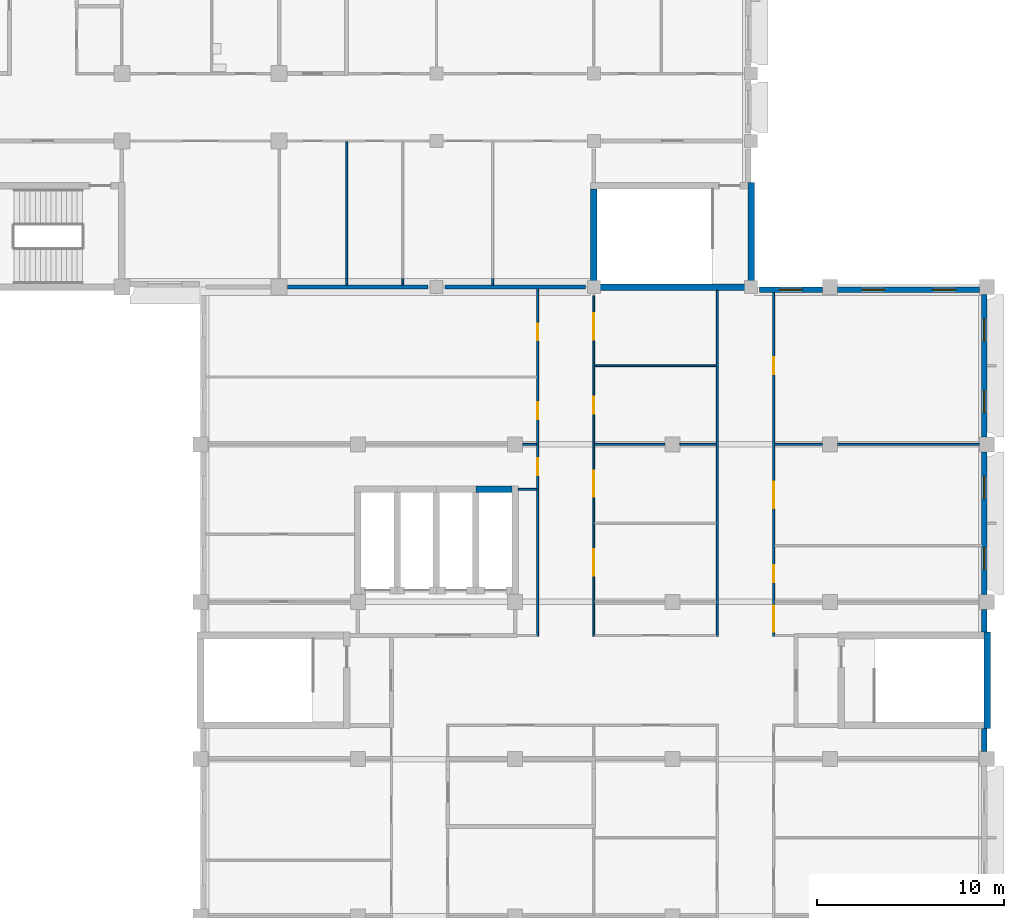
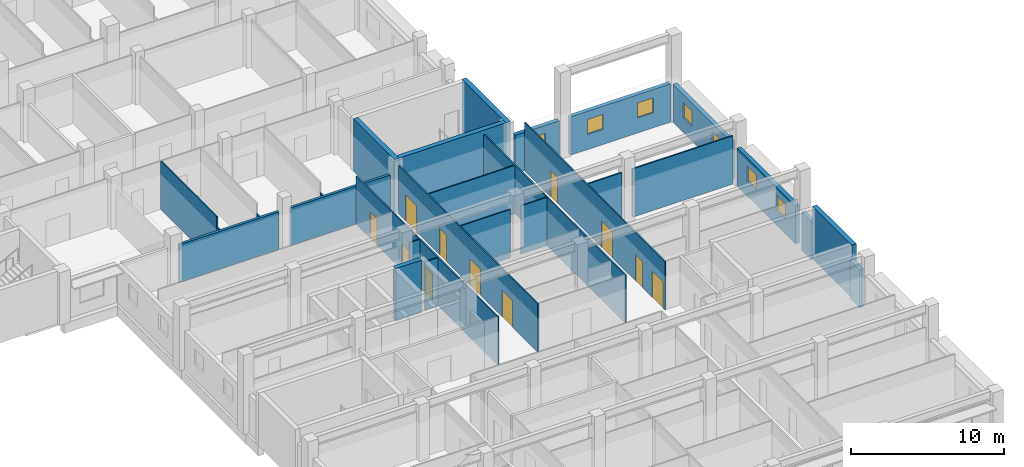
# One storey, part 70 of 109: 28 walls, 11 doors, 7 windows, 18 openings.
"""IFC4 building model written with IfcOpenShell, lengths in metres."""

import ifcopenshell
import ifcopenshell.guid

model = None  # the IFC model being written
_history = None  # IfcOwnerHistory: only IFC2X3 demands one
_inside = {}  # id of a spatial element -> (the spatial element, [elements in it])
_under = {}  # id of a project, library or spatial element -> (it, [spatial elements below it])
_declared = {}  # id of a project -> (the project, [libraries it declares])
_typed = {}  # id of a type object -> (the type object, [elements of that type])
_made_of = {}  # id of a material, layer set ... -> (it, [elements and type objects made of it])


def new_model(schema):
    """Start an empty IFC model of exactly this schema.

    Asked for "IFC4X3", IfcOpenShell would pick the latest addendum, in which some entities
    have other attributes; the version numbers below select the first issue.
    IFC2X3 requires an IfcOwnerHistory on every rooted entity: one is made here for all.
    """
    global model, _history
    if schema == "IFC4X3":
        model = ifcopenshell.file(schema_version=(4, 3, 0, 0))
    else:
        model = ifcopenshell.file(schema=schema)
    _inside.clear()
    _under.clear()
    _declared.clear()
    _typed.clear()
    _made_of.clear()
    _history = None
    if model.schema == "IFC2X3":
        org = make("IfcOrganization", Name="unknown")
        user = make(
            "IfcPersonAndOrganization",
            ThePerson=make("IfcPerson", FamilyName="unknown"),
            TheOrganization=org,
        )
        app = make(
            "IfcApplication",
            ApplicationDeveloper=org,
            Version="unknown",
            ApplicationFullName="unknown",
            ApplicationIdentifier="unknown",
        )
        _history = make(
            "IfcOwnerHistory",
            OwningUser=user,
            OwningApplication=app,
            ChangeAction="ADDED",
            CreationDate=0,
        )
    return model


def make(cls, **values):
    """One entity of the class cls with the attributes given. An attribute that is None is left unset."""
    return model.create_entity(
        cls, **{name: value for name, value in values.items() if value is not None}
    )


def rooted(cls, **values):
    """An entity with a GlobalId (a new one), such as an element, a storey or a relation."""
    return make(cls, GlobalId=ifcopenshell.guid.new(), OwnerHistory=_history, **values)


def si_unit(unit_type, name, prefix=None):
    """IfcSIUnit, for example si_unit("LENGTHUNIT", "METRE", prefix="MILLI")."""
    return make("IfcSIUnit", UnitType=unit_type, Prefix=prefix, Name=name)


def assignment(units):
    """IfcUnitAssignment: the units of a project."""
    return None if units is None else make("IfcUnitAssignment", Units=units)


def point(xyz):
    """IfcCartesianPoint."""
    return None if xyz is None else make("IfcCartesianPoint", Coordinates=xyz)


def direction(xyz):
    """IfcDirection."""
    return None if xyz is None else make("IfcDirection", DirectionRatios=xyz)


def frame(location, z_axis=None, x_axis=None):
    """IfcAxis2Placement3D, a coordinate frame: its origin and axes. An axis left out is left unset."""
    return make(
        "IfcAxis2Placement3D",
        Location=point(location),
        Axis=direction(z_axis),
        RefDirection=direction(x_axis),
    )


def frame_2d(location, x_axis=None):
    """IfcAxis2Placement2D, a coordinate frame in the plane: its origin and x axis."""
    return make(
        "IfcAxis2Placement2D", Location=point(location), RefDirection=direction(x_axis)
    )


def origin():
    """The frame at (0, 0, 0) with its axes left unset."""
    return frame((0.0, 0.0, 0.0))


def place(relative_to, where):
    """IfcLocalPlacement: puts the frame where relative to a parent placement (None: the world)."""
    return make(
        "IfcLocalPlacement", PlacementRelTo=relative_to, RelativePlacement=where
    )


def context(
    kind, dimensions, precision=None, world=None, true_north=None, identifier=None
):
    """IfcGeometricRepresentationContext, for example the 3D "Model" context."""
    return make(
        "IfcGeometricRepresentationContext",
        ContextIdentifier=identifier,
        ContextType=kind,
        CoordinateSpaceDimension=dimensions,
        Precision=precision,
        WorldCoordinateSystem=world,
        TrueNorth=true_north,
    )


def subcontext(parent, identifier, kind, view, scale=None):
    """IfcGeometricRepresentationSubContext, for example "Body" below "Model"."""
    return make(
        "IfcGeometricRepresentationSubContext",
        ContextIdentifier=identifier,
        ContextType=kind,
        ParentContext=parent,
        TargetScale=scale,
        TargetView=view,
    )


def project(units=None, contexts=None):
    """IfcProject with its units and contexts."""
    return rooted(
        "IfcProject",
        Name="project",
        RepresentationContexts=contexts,
        UnitsInContext=assignment(units),
    )


def spatial(cls, under=None, at=None, **own):
    """A site, building, storey or space (cls), placed at a placement, below another one or the project."""
    s = rooted(cls, ObjectPlacement=at, **own)
    if under is not None:
        _under.setdefault(under.id(), (under, []))[1].append(s)
    return s


def profile(cls, at=None, kind="AREA", **sizes):
    """A parametric profile (cls). Its sizes go by their IFC names, for example OverallWidth=200.0."""
    return make(cls, ProfileType=kind, Position=at, **sizes)


def rectangle(**sizes):
    """IfcRectangleProfileDef."""
    return profile("IfcRectangleProfileDef", **sizes)


def extrude(swept, where, along, depth):
    """IfcExtrudedAreaSolid: the profile swept, set in the frame where, extruded along a direction by depth."""
    return make(
        "IfcExtrudedAreaSolid",
        SweptArea=swept,
        Position=where,
        ExtrudedDirection=direction(along),
        Depth=depth,
    )


def shape(context_of_items, identifier, shape_type, items):
    """IfcShapeRepresentation: the items that make up one representation, for example the "Body"."""
    return make(
        "IfcShapeRepresentation",
        ContextOfItems=context_of_items,
        RepresentationIdentifier=identifier,
        RepresentationType=shape_type,
        Items=items,
    )


def material(Name=None, Category=None):
    """IfcMaterial."""
    return make("IfcMaterial", Name=Name, Category=Category)


def layer(
    of_material, thickness, ventilated=None, Name=None, Category=None, Priority=None
):
    """IfcMaterialLayer: one layer of a wall or slab, of a material (None: an air gap)."""
    return make(
        "IfcMaterialLayer",
        Material=of_material,
        LayerThickness=thickness,
        IsVentilated=ventilated,
        Name=Name,
        Category=Category,
        Priority=Priority,
    )


def layer_set(layers, Name=None):
    """IfcMaterialLayerSet."""
    return make("IfcMaterialLayerSet", MaterialLayers=layers, LayerSetName=Name)


def made_of(thing, what):
    """Note that an element or type object is made of a material, layer set ...; save() writes the relation."""
    if what is not None:
        _made_of.setdefault(what.id(), (what, []))[1].append(thing)
    return thing


def type_object(cls, material=None, **own):
    """A type object (cls), such as IfcWallType, which elements share."""
    return made_of(rooted(cls, **own), material)


def element(
    cls,
    number,
    at=None,
    inside=None,
    cuts=None,
    type_object=None,
    material=None,
    context=None,
    identifier="Body",
    shape_type=None,
    held_by="IfcProductDefinitionShape",
    body=None,
    shapes=None,
    **own,
):
    """One element of the class cls, such as IfcWall. Its Tag is "e" and its number.

    at: its placement. inside: the storey or other place that contains it. cuts: it is an
    opening in that element (IfcRelVoidsElement). A single representation is given by context,
    identifier, shape_type and body (its items); several are given by shapes. held_by: the class
    of the entity that holds the representations. save() writes the other relations.
    """
    e = rooted(cls, Tag="e%d" % number, ObjectPlacement=at, **own)
    if body is not None:
        shapes = [shape(context, identifier, shape_type, body)]
    if shapes is not None:
        e.Representation = make(held_by, Representations=shapes)
    if inside is not None:
        _inside.setdefault(inside.id(), (inside, []))[1].append(e)
    if cuts is not None:
        rooted(
            "IfcRelVoidsElement", RelatingBuildingElement=cuts, RelatedOpeningElement=e
        )
    if type_object is not None:
        _typed.setdefault(type_object.id(), (type_object, []))[1].append(e)
    return made_of(e, material)


def fill(opening, filler):
    """IfcRelFillsElement: the door or window that sits in an opening."""
    return rooted(
        "IfcRelFillsElement",
        RelatingOpeningElement=opening,
        RelatedBuildingElement=filler,
    )


def aggregate(whole, parts):
    """IfcRelAggregates: a whole, such as a stair, and the parts it consists of."""
    return rooted("IfcRelAggregates", RelatingObject=whole, RelatedObjects=parts)


def save(model, path):
    """Write the relations noted so far, then the file.

    IfcRelAggregates (storeys below a building ...), IfcRelContainedInSpatialStructure (elements
    in a storey), IfcRelDefinesByType, IfcRelAssociatesMaterial and IfcRelDeclares: one each for
    every whole, place, type object, material and project.
    """
    for whole, parts in _under.values():
        aggregate(whole, parts)
    for where, things in _inside.values():
        rooted(
            "IfcRelContainedInSpatialStructure",
            RelatedElements=things,
            RelatingStructure=where,
        )
    for kind, things in _typed.values():
        rooted("IfcRelDefinesByType", RelatedObjects=things, RelatingType=kind)
    for what, things in _made_of.values():
        rooted("IfcRelAssociatesMaterial", RelatedObjects=things, RelatingMaterial=what)
    for by, libraries in _declared.values():
        rooted("IfcRelDeclares", RelatingContext=by, RelatedDefinitions=libraries)
    model.write(path)


model = new_model("IFC4")

# Units and contexts
model_context = context("Model", 3, precision=1e-05, world=origin(), true_north=direction((0.0, 1.0)))
body_context = subcontext(model_context, "Body", "Model", "MODEL_VIEW")
ifc_project = project(units=[si_unit("LENGTHUNIT", "METRE"), si_unit("AREAUNIT", "SQUARE_METRE"), si_unit("VOLUMEUNIT", "CUBIC_METRE"), si_unit("PLANEANGLEUNIT", "RADIAN"), si_unit("MASSUNIT", "GRAM", prefix="KILO")], contexts=[model_context])

# Site, building, storey
site_placement = place(None, origin())
site = spatial("IfcSite", under=ifc_project, at=site_placement, CompositionType="ELEMENT")
building_placement = place(site_placement, origin())
building = spatial("IfcBuilding", under=site, at=building_placement, Name="Bougainvillea Quay General Hospital", CompositionType="ELEMENT")
storey_placement = place(building_placement, frame((0.0, 0.0, 12.60009765625)))
storey = spatial("IfcBuildingStorey", under=building, at=storey_placement, Name="L02", CompositionType="ELEMENT", Elevation=12.60009765625)

# Wall, openings, windows
ifc_material_1 = material(Name="Pale stone rainscreen cladding on insulated masonry backing, pale stone", Category="masonry")
ifc_layer_1 = layer(ifc_material_1, 0.300048828125)
ifc_layer_set_1 = layer_set([ifc_layer_1], Name="Pale stone rainscreen cladding on insulated masonry backing, pale stone")
wall_type_1 = type_object("IfcWallType", Name="External wall pale stone rainscreen 300", PredefinedType="STANDARD", material=ifc_layer_set_1)
wall_1_placement = place(storey_placement, frame((205.64990234375, 101.199951171875, 0.0), z_axis=(0.0, 0.0, 1.0), x_axis=(0.0, 1.0, 0.0)))
wall_1 = element("IfcWall", 1, at=wall_1_placement, inside=storey, type_object=wall_type_1, Name="External wall wall/V3/L02/p0/02e", PredefinedType="STANDARD", context=body_context, shape_type="SweptSolid", body=[
    extrude(rectangle(XDim=7.60009765625, YDim=0.300048828125, at=frame_2d((3.800048828125, 0.0))), origin(), (0.0, 0.0, 1.0), 3.0498046875),
])
opening_1_placement = place(wall_1_placement, frame((1.300048828125, 0.0, 1.199951171875)))
opening_1 = element("IfcOpeningElement", 2, at=opening_1_placement, cuts=wall_1, Name="Opening W2", PredefinedType="OPENING", context=body_context, shape_type="SweptSolid", body=[
    extrude(rectangle(XDim=1.199951171875, YDim=1.199951171875, at=frame_2d((0.60009765625, 0.60009765625))), frame((0.0, 0.159912109375, 0.0), z_axis=(0.0, -1.0, 0.0), x_axis=(1.0, 0.0, 0.0)), (0.0, 0.0, 1.0), 0.320068359375),
])
opening_2_placement = place(wall_1_placement, frame((5.10009765625, 0.0, 1.199951171875)))
opening_2 = element("IfcOpeningElement", 3, at=opening_2_placement, cuts=wall_1, Name="Opening W2", PredefinedType="OPENING", context=body_context, shape_type="SweptSolid", body=[
    extrude(rectangle(XDim=1.199951171875, YDim=1.199951171875, at=frame_2d((0.60009765625, 0.60009765625))), frame((0.0, 0.159912109375, 0.0), z_axis=(0.0, -1.0, 0.0), x_axis=(1.0, 0.0, 0.0)), (0.0, 0.0, 1.0), 0.320068359375),
])
ifc_material_2 = material(Name="Aluminium window frame with low-e double glazed unit", Category="aluminium")
window_type = type_object("IfcWindowType", Name="Window W2 1200x1200", PartitioningType="SINGLE_PANEL", PredefinedType="WINDOW", material=ifc_material_2)
window_1_placement = place(opening_1_placement, origin())
window_1 = element("IfcWindow", 4, at=window_1_placement, inside=storey, type_object=window_type, Name="Window W2 1", OverallHeight=1.199951171875, OverallWidth=1.199951171875, PartitioningType="SINGLE_PANEL", PredefinedType="WINDOW", context=body_context, shape_type="SweptSolid", body=[
    extrude(rectangle(XDim=1.199951171875, YDim=1.199951171875, at=frame_2d((0.60009765625, 0.60009765625))), frame((0.0, 0.030029296875, 0.0), z_axis=(0.0, -1.0, 0.0), x_axis=(1.0, 0.0, 0.0)), (0.0, 0.0, 1.0), 0.06005859375),
])
fill(opening_1, window_1)
window_2_placement = place(opening_2_placement, origin())
window_2 = element("IfcWindow", 5, at=window_2_placement, inside=storey, type_object=window_type, Name="Window W2 2", OverallHeight=1.199951171875, OverallWidth=1.199951171875, PartitioningType="SINGLE_PANEL", PredefinedType="WINDOW", context=body_context, shape_type="SweptSolid", body=[
    extrude(rectangle(XDim=1.199951171875, YDim=1.199951171875, at=frame_2d((0.60009765625, 0.60009765625))), frame((0.0, 0.030029296875, 0.0), z_axis=(0.0, -1.0, 0.0), x_axis=(1.0, 0.0, 0.0)), (0.0, 0.0, 1.0), 0.06005859375),
])
fill(opening_2, window_2)

wall_2_placement = place(storey_placement, frame((205.64990234375, 109.60009765625, 0.0), z_axis=(0.0, 0.0, 1.0), x_axis=(0.0, 1.0, 0.0)))
wall_2 = element("IfcWall", 6, at=wall_2_placement, inside=storey, type_object=wall_type_1, Name="External wall wall/V3/L02/p0/02f", PredefinedType="STANDARD", context=body_context, shape_type="SweptSolid", body=[
    extrude(rectangle(XDim=7.599853515625, YDim=0.300048828125, at=frame_2d((3.7998046875, 0.0))), origin(), (0.0, 0.0, 1.0), 3.0498046875),
])
opening_3_placement = place(wall_2_placement, frame((1.300048828125, 0.0, 1.199951171875)))
opening_3 = element("IfcOpeningElement", 7, at=opening_3_placement, cuts=wall_2, Name="Opening W2", PredefinedType="OPENING", context=body_context, shape_type="SweptSolid", body=[
    extrude(rectangle(XDim=1.199951171875, YDim=1.199951171875, at=frame_2d((0.60009765625, 0.60009765625))), frame((0.0, 0.159912109375, 0.0), z_axis=(0.0, -1.0, 0.0), x_axis=(1.0, 0.0, 0.0)), (0.0, 0.0, 1.0), 0.320068359375),
])
opening_4_placement = place(wall_2_placement, frame((5.10009765625, 0.0, 1.199951171875)))
opening_4 = element("IfcOpeningElement", 8, at=opening_4_placement, cuts=wall_2, Name="Opening W2", PredefinedType="OPENING", context=body_context, shape_type="SweptSolid", body=[
    extrude(rectangle(XDim=1.199951171875, YDim=1.199951171875, at=frame_2d((0.60009765625, 0.60009765625))), frame((0.0, 0.159912109375, 0.0), z_axis=(0.0, -1.0, 0.0), x_axis=(1.0, 0.0, 0.0)), (0.0, 0.0, 1.0), 0.320068359375),
])
window_3_placement = place(opening_3_placement, origin())
window_3 = element("IfcWindow", 9, at=window_3_placement, inside=storey, type_object=window_type, Name="Window W2 1", OverallHeight=1.199951171875, OverallWidth=1.199951171875, PartitioningType="SINGLE_PANEL", PredefinedType="WINDOW", context=body_context, shape_type="SweptSolid", body=[
    extrude(rectangle(XDim=1.199951171875, YDim=1.199951171875, at=frame_2d((0.60009765625, 0.60009765625))), frame((0.0, 0.030029296875, 0.0), z_axis=(0.0, -1.0, 0.0), x_axis=(1.0, 0.0, 0.0)), (0.0, 0.0, 1.0), 0.06005859375),
])
fill(opening_3, window_3)
window_4_placement = place(opening_4_placement, origin())
window_4 = element("IfcWindow", 10, at=window_4_placement, inside=storey, type_object=window_type, Name="Window W2 2", OverallHeight=1.199951171875, OverallWidth=1.199951171875, PartitioningType="SINGLE_PANEL", PredefinedType="WINDOW", context=body_context, shape_type="SweptSolid", body=[
    extrude(rectangle(XDim=1.199951171875, YDim=1.199951171875, at=frame_2d((0.60009765625, 0.60009765625))), frame((0.0, 0.030029296875, 0.0), z_axis=(0.0, -1.0, 0.0), x_axis=(1.0, 0.0, 0.0)), (0.0, 0.0, 1.0), 0.06005859375),
])
fill(opening_4, window_4)

wall_3_placement = place(storey_placement, frame((205.39990234375, 117.449951171875, 0.0), z_axis=(0.0, 0.0, 1.0), x_axis=(-1.0, 0.0, 0.0)))
wall_3 = element("IfcWall", 11, at=wall_3_placement, inside=storey, type_object=wall_type_1, Name="External wall wall/V3/L02/p0/03a", PredefinedType="STANDARD", context=body_context, shape_type="SweptSolid", body=[
    extrude(rectangle(XDim=7.599853515625, YDim=0.300048828125, at=frame_2d((3.7998046875, 0.0))), origin(), (0.0, 0.0, 1.0), 3.0498046875),
])
opening_5_placement = place(wall_3_placement, frame((1.300048828125, 0.0, 1.199951171875)))
opening_5 = element("IfcOpeningElement", 12, at=opening_5_placement, cuts=wall_3, Name="Opening W2", PredefinedType="OPENING", context=body_context, shape_type="SweptSolid", body=[
    extrude(rectangle(XDim=1.199951171875, YDim=1.199951171875, at=frame_2d((0.60009765625, 0.60009765625))), frame((0.0, 0.159912109375, 0.0), z_axis=(0.0, -1.0, 0.0), x_axis=(1.0, 0.0, 0.0)), (0.0, 0.0, 1.0), 0.320068359375),
])
opening_6_placement = place(wall_3_placement, frame((5.10009765625, 0.0, 1.199951171875)))
opening_6 = element("IfcOpeningElement", 13, at=opening_6_placement, cuts=wall_3, Name="Opening W2", PredefinedType="OPENING", context=body_context, shape_type="SweptSolid", body=[
    extrude(rectangle(XDim=1.199951171875, YDim=1.199951171875, at=frame_2d((0.60009765625, 0.60009765625))), frame((0.0, 0.159912109375, 0.0), z_axis=(0.0, -1.0, 0.0), x_axis=(1.0, 0.0, 0.0)), (0.0, 0.0, 1.0), 0.320068359375),
])
window_5_placement = place(opening_5_placement, origin())
window_5 = element("IfcWindow", 14, at=window_5_placement, inside=storey, type_object=window_type, Name="Window W2 1", OverallHeight=1.199951171875, OverallWidth=1.199951171875, PartitioningType="SINGLE_PANEL", PredefinedType="WINDOW", context=body_context, shape_type="SweptSolid", body=[
    extrude(rectangle(XDim=1.199951171875, YDim=1.199951171875, at=frame_2d((0.60009765625, 0.60009765625))), frame((0.0, 0.030029296875, 0.0), z_axis=(0.0, -1.0, 0.0), x_axis=(1.0, 0.0, 0.0)), (0.0, 0.0, 1.0), 0.06005859375),
])
fill(opening_5, window_5)
window_6_placement = place(opening_6_placement, origin())
window_6 = element("IfcWindow", 15, at=window_6_placement, inside=storey, type_object=window_type, Name="Window W2 2", OverallHeight=1.199951171875, OverallWidth=1.199951171875, PartitioningType="SINGLE_PANEL", PredefinedType="WINDOW", context=body_context, shape_type="SweptSolid", body=[
    extrude(rectangle(XDim=1.199951171875, YDim=1.199951171875, at=frame_2d((0.60009765625, 0.60009765625))), frame((0.0, 0.030029296875, 0.0), z_axis=(0.0, -1.0, 0.0), x_axis=(1.0, 0.0, 0.0)), (0.0, 0.0, 1.0), 0.06005859375),
])
fill(opening_6, window_6)

# Wall, opening, window
wall_4_placement = place(storey_placement, frame((197.0, 117.449951171875, 0.0), z_axis=(0.0, 0.0, 1.0), x_axis=(-1.0, 0.0, 0.0)))
wall_4 = element("IfcWall", 16, at=wall_4_placement, inside=storey, type_object=wall_type_1, Name="External wall wall/V3/L02/p0/03b", PredefinedType="STANDARD", context=body_context, shape_type="SweptSolid", body=[
    extrude(rectangle(XDim=3.35009765625, YDim=0.300048828125, at=frame_2d((1.675048828125, 0.0))), origin(), (0.0, 0.0, 1.0), 3.0498046875),
])
opening_7_placement = place(wall_4_placement, frame((1.074951171875, 0.0, 1.199951171875)))
opening_7 = element("IfcOpeningElement", 17, at=opening_7_placement, cuts=wall_4, Name="Opening W2", PredefinedType="OPENING", context=body_context, shape_type="SweptSolid", body=[
    extrude(rectangle(XDim=1.199951171875, YDim=1.199951171875, at=frame_2d((0.60009765625, 0.60009765625))), frame((0.0, 0.159912109375, 0.0), z_axis=(0.0, -1.0, 0.0), x_axis=(1.0, 0.0, 0.0)), (0.0, 0.0, 1.0), 0.320068359375),
])
window_7_placement = place(opening_7_placement, origin())
window_7 = element("IfcWindow", 18, at=window_7_placement, inside=storey, type_object=window_type, Name="Window W2 1", OverallHeight=1.199951171875, OverallWidth=1.199951171875, PartitioningType="SINGLE_PANEL", PredefinedType="WINDOW", context=body_context, shape_type="SweptSolid", body=[
    extrude(rectangle(XDim=1.199951171875, YDim=1.199951171875, at=frame_2d((0.60009765625, 0.60009765625))), frame((0.0, 0.030029296875, 0.0), z_axis=(0.0, -1.0, 0.0), x_axis=(1.0, 0.0, 0.0)), (0.0, 0.0, 1.0), 0.06005859375),
])
fill(opening_7, window_7)

# Walls
ifc_material_3 = material(Name="Terracotta rainscreen cladding on insulated masonry backing, terracotta", Category="masonry")
ifc_layer_2 = layer(ifc_material_3, 0.300048828125)
ifc_layer_set_2 = layer_set([ifc_layer_2], Name="Terracotta rainscreen cladding on insulated masonry backing, terracotta")
wall_type_2 = type_object("IfcWallType", Name="External wall terracotta rainscreen 300", PredefinedType="STANDARD", material=ifc_layer_set_2)
for number, where, z_axis, x_axis, name in (
    (19, (205.64990234375, 92.800048828125, 0.0), (0.0, 0.0, 1.0), (0.0, 1.0, 0.0), "External wall wall/V3/L02/p0/02c"),
    (20, (205.64990234375, 99.175048828125, 0.0), (0.0, 0.0, 1.0), (0.0, 1.0, 0.0), "External wall wall/V3/L02/p0/02d"),
):
    element("IfcWall", number, at=place(storey_placement, frame(where, z_axis=z_axis, x_axis=x_axis)), inside=storey, type_object=wall_type_2, Name=name, PredefinedType="STANDARD", context=body_context, shape_type="SweptSolid", body=[
        extrude(rectangle(XDim=1.224853515625, YDim=0.300048828125, at=frame_2d((0.6123046875, 0.0))), origin(), (0.0, 0.0, 1.0), 3.0498046875),
    ])

# Wall, openings, doors
ifc_material_4 = material(Name="Gypsum board partition on steel studs", Category="steel")
ifc_layer_3 = layer(ifc_material_4, 0.10009765625)
ifc_layer_set_3 = layer_set([ifc_layer_3], Name="Gypsum board partition on steel studs")
wall_type_3 = type_object("IfcWallType", Name="Partition 100 Gypsum board partition", PredefinedType="PARTITIONING", material=ifc_layer_set_3)
wall_5_placement = place(storey_placement, frame((181.800048828125, 117.5, 0.0), z_axis=(0.0, 0.0, 1.0), x_axis=(0.0, -1.0, 0.0)))
wall_5 = element("IfcWall", 21, at=wall_5_placement, inside=storey, type_object=wall_type_3, Name="Partition 100 mm", PredefinedType="PARTITIONING", context=body_context, shape_type="SweptSolid", body=[
    extrude(rectangle(XDim=18.550048828125, YDim=0.10009765625, at=frame_2d((9.27490234375, 0.0))), origin(), (0.0, 0.0, 1.0), 3.849853515625),
])
opening_8_placement = place(wall_5_placement, frame((9.050048828125, 0.0, 0.0)))
opening_8 = element("IfcOpeningElement", 22, at=opening_8_placement, cuts=wall_5, Name="Opening L02.073", PredefinedType="OPENING", context=body_context, shape_type="SweptSolid", body=[
    extrude(rectangle(XDim=0.89990234375, YDim=2.10009765625, at=frame_2d((0.449951171875, 1.050048828125))), frame((0.0, 0.06005859375, 0.0), z_axis=(0.0, -1.0, 0.0), x_axis=(1.0, 0.0, 0.0)), (0.0, 0.0, 1.0), 0.1201171875),
])
opening_9_placement = place(wall_5_placement, frame((6.051025390625, 0.0, 0.0)))
opening_9 = element("IfcOpeningElement", 23, at=opening_9_placement, cuts=wall_5, Name="Opening L02.074", PredefinedType="OPENING", context=body_context, shape_type="SweptSolid", body=[
    extrude(rectangle(XDim=0.89990234375, YDim=2.10009765625, at=frame_2d((0.449951171875, 1.050048828125))), frame((0.0, 0.06005859375, 0.0), z_axis=(0.0, -1.0, 0.0), x_axis=(1.0, 0.0, 0.0)), (0.0, 0.0, 1.0), 0.1201171875),
])
opening_10_placement = place(wall_5_placement, frame((1.85107421875, 0.0, 0.0)))
opening_10 = element("IfcOpeningElement", 24, at=opening_10_placement, cuts=wall_5, Name="Opening L02.075", PredefinedType="OPENING", context=body_context, shape_type="SweptSolid", body=[
    extrude(rectangle(XDim=0.89990234375, YDim=2.10009765625, at=frame_2d((0.449951171875, 1.050048828125))), frame((0.0, 0.06005859375, 0.0), z_axis=(0.0, -1.0, 0.0), x_axis=(1.0, 0.0, 0.0)), (0.0, 0.0, 1.0), 0.1201171875),
])
ifc_material_5 = material(Name="Solid-core timber door leaf in steel frame", Category="steel")
door_type_1 = type_object("IfcDoorType", Name="Single leaf door 900x2100", OperationType="NOTDEFINED", PredefinedType="DOOR", material=ifc_material_5)
door_1_placement = place(opening_8_placement, frame((0.89990234375, 0.0, 0.0), z_axis=(0.0, 0.0, 1.0), x_axis=(-1.0, 0.0, 0.0)))
door_1 = element("IfcDoor", 25, at=door_1_placement, inside=storey, type_object=door_type_1, Name="DT07 L02.073", OperationType="SINGLE_SWING_LEFT", OverallHeight=2.10009765625, OverallWidth=0.89990234375, PredefinedType="DOOR", context=body_context, shape_type="SweptSolid", body=[
    extrude(rectangle(XDim=0.89990234375, YDim=2.10009765625, at=frame_2d((0.449951171875, 1.050048828125))), frame((0.0, 0.02490234375, 0.0), z_axis=(0.0, -1.0, 0.0), x_axis=(1.0, 0.0, 0.0)), (0.0, 0.0, 1.0), 0.050048828125),
])
fill(opening_8, door_1)
door_2_placement = place(opening_9_placement, frame((0.89990234375, 0.0, 0.0), z_axis=(0.0, 0.0, 1.0), x_axis=(-1.0, 0.0, 0.0)))
door_2 = element("IfcDoor", 26, at=door_2_placement, inside=storey, type_object=door_type_1, Name="DT07 L02.074", OperationType="SINGLE_SWING_RIGHT", OverallHeight=2.10009765625, OverallWidth=0.89990234375, PredefinedType="DOOR", context=body_context, shape_type="SweptSolid", body=[
    extrude(rectangle(XDim=0.89990234375, YDim=2.10009765625, at=frame_2d((0.449951171875, 1.050048828125))), frame((0.0, 0.02490234375, 0.0), z_axis=(0.0, -1.0, 0.0), x_axis=(1.0, 0.0, 0.0)), (0.0, 0.0, 1.0), 0.050048828125),
])
fill(opening_9, door_2)
door_3_placement = place(opening_10_placement, frame((0.89990234375, 0.0, 0.0), z_axis=(0.0, 0.0, 1.0), x_axis=(-1.0, 0.0, 0.0)))
door_3 = element("IfcDoor", 27, at=door_3_placement, inside=storey, type_object=door_type_1, Name="DT07 L02.075", OperationType="SINGLE_SWING_RIGHT", OverallHeight=2.10009765625, OverallWidth=0.89990234375, PredefinedType="DOOR", context=body_context, shape_type="SweptSolid", body=[
    extrude(rectangle(XDim=0.89990234375, YDim=2.10009765625, at=frame_2d((0.449951171875, 1.050048828125))), frame((0.0, 0.02490234375, 0.0), z_axis=(0.0, -1.0, 0.0), x_axis=(1.0, 0.0, 0.0)), (0.0, 0.0, 1.0), 0.050048828125),
])
fill(opening_10, door_3)

wall_6_placement = place(storey_placement, frame((184.800048828125, 117.14990234375, 0.0), z_axis=(0.0, 0.0, 1.0), x_axis=(0.0, -1.0, 0.0)))
wall_6 = element("IfcWall", 28, at=wall_6_placement, inside=storey, type_object=wall_type_3, Name="Partition 100 mm", PredefinedType="PARTITIONING", context=body_context, shape_type="SweptSolid", body=[
    extrude(rectangle(XDim=18.199951171875, YDim=0.10009765625, at=frame_2d((9.10009765625, 0.0))), origin(), (0.0, 0.0, 1.0), 3.849853515625),
])
opening_11_placement = place(wall_6_placement, frame((13.550048828125, 0.0, 0.0)))
opening_11 = element("IfcOpeningElement", 29, at=opening_11_placement, cuts=wall_6, Name="Opening L02.077", PredefinedType="OPENING", context=body_context, shape_type="SweptSolid", body=[
    extrude(rectangle(XDim=1.39990234375, YDim=2.10009765625, at=frame_2d((0.699951171875, 1.050048828125))), frame((0.0, 0.06005859375, 0.0), z_axis=(0.0, -1.0, 0.0), x_axis=(1.0, 0.0, 0.0)), (0.0, 0.0, 1.0), 0.1201171875),
])
opening_12_placement = place(wall_6_placement, frame((9.35009765625, 0.0, 0.0)))
opening_12 = element("IfcOpeningElement", 30, at=opening_12_placement, cuts=wall_6, Name="Opening L02.078", PredefinedType="OPENING", context=body_context, shape_type="SweptSolid", body=[
    extrude(rectangle(XDim=1.39990234375, YDim=2.10009765625, at=frame_2d((0.699951171875, 1.050048828125))), frame((0.0, 0.06005859375, 0.0), z_axis=(0.0, -1.0, 0.0), x_axis=(1.0, 0.0, 0.0)), (0.0, 0.0, 1.0), 0.1201171875),
])
opening_13_placement = place(wall_6_placement, frame((5.39990234375, 0.0, 0.0)))
opening_13 = element("IfcOpeningElement", 31, at=opening_13_placement, cuts=wall_6, Name="Opening L02.079", PredefinedType="OPENING", context=body_context, shape_type="SweptSolid", body=[
    extrude(rectangle(XDim=0.89990234375, YDim=2.10009765625, at=frame_2d((0.449951171875, 1.050048828125))), frame((0.0, 0.06005859375, 0.0), z_axis=(0.0, -1.0, 0.0), x_axis=(1.0, 0.0, 0.0)), (0.0, 0.0, 1.0), 0.1201171875),
])
opening_14_placement = place(wall_6_placement, frame((0.949951171875, 0.0, 0.0)))
opening_14 = element("IfcOpeningElement", 32, at=opening_14_placement, cuts=wall_6, Name="Opening L02.080", PredefinedType="OPENING", context=body_context, shape_type="SweptSolid", body=[
    extrude(rectangle(XDim=1.39990234375, YDim=2.10009765625, at=frame_2d((0.699951171875, 1.050048828125))), frame((0.0, 0.06005859375, 0.0), z_axis=(0.0, -1.0, 0.0), x_axis=(1.0, 0.0, 0.0)), (0.0, 0.0, 1.0), 0.1201171875),
])
ifc_material_6 = material(Name="Solid-core timber door leaves in steel frame", Category="steel")
door_type_2 = type_object("IfcDoorType", Name="Bed door pair 1400x2100", OperationType="DOUBLE_DOOR_SINGLE_SWING", PredefinedType="DOOR", material=ifc_material_6)
door_4_placement = place(opening_11_placement, origin())
door_4 = element("IfcDoor", 33, at=door_4_placement, inside=storey, type_object=door_type_2, Name="DT09 L02.077", OperationType="DOUBLE_DOOR_SINGLE_SWING", OverallHeight=2.10009765625, OverallWidth=1.39990234375, PredefinedType="DOOR", context=body_context, shape_type="SweptSolid", body=[
    extrude(rectangle(XDim=1.39990234375, YDim=2.10009765625, at=frame_2d((0.699951171875, 1.050048828125))), frame((0.0, 0.02490234375, 0.0), z_axis=(0.0, -1.0, 0.0), x_axis=(1.0, 0.0, 0.0)), (0.0, 0.0, 1.0), 0.050048828125),
])
fill(opening_11, door_4)
door_5_placement = place(opening_12_placement, origin())
door_5 = element("IfcDoor", 34, at=door_5_placement, inside=storey, type_object=door_type_2, Name="DT09 L02.078", OperationType="DOUBLE_DOOR_SINGLE_SWING", OverallHeight=2.10009765625, OverallWidth=1.39990234375, PredefinedType="DOOR", context=body_context, shape_type="SweptSolid", body=[
    extrude(rectangle(XDim=1.39990234375, YDim=2.10009765625, at=frame_2d((0.699951171875, 1.050048828125))), frame((0.0, 0.02490234375, 0.0), z_axis=(0.0, -1.0, 0.0), x_axis=(1.0, 0.0, 0.0)), (0.0, 0.0, 1.0), 0.050048828125),
])
fill(opening_12, door_5)
door_6_placement = place(opening_14_placement, origin())
door_6 = element("IfcDoor", 35, at=door_6_placement, inside=storey, type_object=door_type_2, Name="DT09 L02.080", OperationType="DOUBLE_DOOR_SINGLE_SWING", OverallHeight=2.10009765625, OverallWidth=1.39990234375, PredefinedType="DOOR", context=body_context, shape_type="SweptSolid", body=[
    extrude(rectangle(XDim=1.39990234375, YDim=2.10009765625, at=frame_2d((0.699951171875, 1.050048828125))), frame((0.0, 0.02490234375, 0.0), z_axis=(0.0, -1.0, 0.0), x_axis=(1.0, 0.0, 0.0)), (0.0, 0.0, 1.0), 0.050048828125),
])
fill(opening_14, door_6)
door_7_placement = place(opening_13_placement, origin())
door_7 = element("IfcDoor", 36, at=door_7_placement, inside=storey, type_object=door_type_1, Name="DT07 L02.079", OperationType="SINGLE_SWING_LEFT", OverallHeight=2.10009765625, OverallWidth=0.89990234375, PredefinedType="DOOR", context=body_context, shape_type="SweptSolid", body=[
    extrude(rectangle(XDim=0.89990234375, YDim=2.10009765625, at=frame_2d((0.449951171875, 1.050048828125))), frame((0.0, 0.02490234375, 0.0), z_axis=(0.0, -1.0, 0.0), x_axis=(1.0, 0.0, 0.0)), (0.0, 0.0, 1.0), 0.050048828125),
])
fill(opening_13, door_7)

# Wall
wall_7_placement = place(storey_placement, frame((191.39990234375, 117.425048828125, 0.0), z_axis=(0.0, 0.0, 1.0), x_axis=(0.0, -1.0, 0.0)))
element("IfcWall", 37, at=wall_7_placement, inside=storey, type_object=wall_type_3, Name="Partition 100 mm", PredefinedType="PARTITIONING", context=body_context, shape_type="SweptSolid", body=[
    extrude(rectangle(XDim=18.47509765625, YDim=0.10009765625, at=frame_2d((9.237548828125, 0.0))), origin(), (0.0, 0.0, 1.0), 3.849853515625),
])

# Wall, openings, doors
wall_8_placement = place(storey_placement, frame((194.39990234375, 117.300048828125, 0.0), z_axis=(0.0, 0.0, 1.0), x_axis=(0.0, -1.0, 0.0)))
wall_8 = element("IfcWall", 38, at=wall_8_placement, inside=storey, type_object=wall_type_3, Name="Partition 100 mm", PredefinedType="PARTITIONING", context=body_context, shape_type="SweptSolid", body=[
    extrude(rectangle(XDim=18.35009765625, YDim=0.10009765625, at=frame_2d((9.175048828125, 0.0))), origin(), (0.0, 0.0, 1.0), 3.849853515625),
])
opening_15_placement = place(wall_8_placement, frame((16.699951171875, 0.0, 0.0)))
opening_15 = element("IfcOpeningElement", 39, at=opening_15_placement, cuts=wall_8, Name="Opening L02.081", PredefinedType="OPENING", context=body_context, shape_type="SweptSolid", body=[
    extrude(rectangle(XDim=1.39990234375, YDim=2.10009765625, at=frame_2d((0.699951171875, 1.050048828125))), frame((0.0, 0.06005859375, 0.0), z_axis=(0.0, -1.0, 0.0), x_axis=(1.0, 0.0, 0.0)), (0.0, 0.0, 1.0), 0.1201171875),
])
opening_16_placement = place(wall_8_placement, frame((14.550048828125, 0.0, 0.0)))
opening_16 = element("IfcOpeningElement", 40, at=opening_16_placement, cuts=wall_8, Name="Opening L02.082", PredefinedType="OPENING", context=body_context, shape_type="SweptSolid", body=[
    extrude(rectangle(XDim=0.89990234375, YDim=2.10009765625, at=frame_2d((0.449951171875, 1.050048828125))), frame((0.0, 0.06005859375, 0.0), z_axis=(0.0, -1.0, 0.0), x_axis=(1.0, 0.0, 0.0)), (0.0, 0.0, 1.0), 0.1201171875),
])
opening_17_placement = place(wall_8_placement, frame((10.10009765625, 0.0, 0.0)))
opening_17 = element("IfcOpeningElement", 41, at=opening_17_placement, cuts=wall_8, Name="Opening L02.083", PredefinedType="OPENING", context=body_context, shape_type="SweptSolid", body=[
    extrude(rectangle(XDim=1.39990234375, YDim=2.10009765625, at=frame_2d((0.699951171875, 1.050048828125))), frame((0.0, 0.06005859375, 0.0), z_axis=(0.0, -1.0, 0.0), x_axis=(1.0, 0.0, 0.0)), (0.0, 0.0, 1.0), 0.1201171875),
])
opening_18_placement = place(wall_8_placement, frame((3.449951171875, 0.0, 0.0)))
opening_18 = element("IfcOpeningElement", 42, at=opening_18_placement, cuts=wall_8, Name="Opening L02.084", PredefinedType="OPENING", context=body_context, shape_type="SweptSolid", body=[
    extrude(rectangle(XDim=0.89990234375, YDim=2.10009765625, at=frame_2d((0.449951171875, 1.050048828125))), frame((0.0, 0.06005859375, 0.0), z_axis=(0.0, -1.0, 0.0), x_axis=(1.0, 0.0, 0.0)), (0.0, 0.0, 1.0), 0.1201171875),
])
door_8_placement = place(opening_15_placement, origin())
door_8 = element("IfcDoor", 43, at=door_8_placement, inside=storey, type_object=door_type_2, Name="DT09 L02.081", OperationType="DOUBLE_DOOR_SINGLE_SWING", OverallHeight=2.10009765625, OverallWidth=1.39990234375, PredefinedType="DOOR", context=body_context, shape_type="SweptSolid", body=[
    extrude(rectangle(XDim=1.39990234375, YDim=2.10009765625, at=frame_2d((0.699951171875, 1.050048828125))), frame((0.0, 0.02490234375, 0.0), z_axis=(0.0, -1.0, 0.0), x_axis=(1.0, 0.0, 0.0)), (0.0, 0.0, 1.0), 0.050048828125),
])
fill(opening_15, door_8)
door_9_placement = place(opening_17_placement, origin())
door_9 = element("IfcDoor", 44, at=door_9_placement, inside=storey, type_object=door_type_2, Name="DT09 L02.083", OperationType="DOUBLE_DOOR_SINGLE_SWING", OverallHeight=2.10009765625, OverallWidth=1.39990234375, PredefinedType="DOOR", context=body_context, shape_type="SweptSolid", body=[
    extrude(rectangle(XDim=1.39990234375, YDim=2.10009765625, at=frame_2d((0.699951171875, 1.050048828125))), frame((0.0, 0.02490234375, 0.0), z_axis=(0.0, -1.0, 0.0), x_axis=(1.0, 0.0, 0.0)), (0.0, 0.0, 1.0), 0.050048828125),
])
fill(opening_17, door_9)
door_10_placement = place(opening_16_placement, origin())
door_10 = element("IfcDoor", 45, at=door_10_placement, inside=storey, type_object=door_type_1, Name="DT07 L02.082", OperationType="SINGLE_SWING_RIGHT", OverallHeight=2.10009765625, OverallWidth=0.89990234375, PredefinedType="DOOR", context=body_context, shape_type="SweptSolid", body=[
    extrude(rectangle(XDim=0.89990234375, YDim=2.10009765625, at=frame_2d((0.449951171875, 1.050048828125))), frame((0.0, 0.02490234375, 0.0), z_axis=(0.0, -1.0, 0.0), x_axis=(1.0, 0.0, 0.0)), (0.0, 0.0, 1.0), 0.050048828125),
])
fill(opening_16, door_10)
door_11_placement = place(opening_18_placement, origin())
door_11 = element("IfcDoor", 46, at=door_11_placement, inside=storey, type_object=door_type_1, Name="DT07 L02.084", OperationType="SINGLE_SWING_LEFT", OverallHeight=2.10009765625, OverallWidth=0.89990234375, PredefinedType="DOOR", context=body_context, shape_type="SweptSolid", body=[
    extrude(rectangle(XDim=0.89990234375, YDim=2.10009765625, at=frame_2d((0.449951171875, 1.050048828125))), frame((0.0, 0.02490234375, 0.0), z_axis=(0.0, -1.0, 0.0), x_axis=(1.0, 0.0, 0.0)), (0.0, 0.0, 1.0), 0.050048828125),
])
fill(opening_18, door_11)

# Walls
wall_9_placement = place(storey_placement, frame((181.0, 109.199951171875, 0.0), z_axis=(0.0, 0.0, 1.0), x_axis=(1.0, 0.0, 0.0)))
element("IfcWall", 47, at=wall_9_placement, inside=storey, type_object=wall_type_3, Name="Partition 100 mm", PredefinedType="PARTITIONING", context=body_context, shape_type="SweptSolid", body=[
    extrude(rectangle(XDim=0.75, YDim=0.10009765625, at=frame_2d((0.375, 0.0))), origin(), (0.0, 0.0, 1.0), 3.849853515625),
])
wall_10_placement = place(storey_placement, frame((194.449951171875, 109.199951171875, 0.0), z_axis=(0.0, 0.0, 1.0), x_axis=(1.0, 0.0, 0.0)))
element("IfcWall", 48, at=wall_10_placement, inside=storey, type_object=wall_type_3, Name="Partition 100 mm", PredefinedType="PARTITIONING", context=body_context, shape_type="SweptSolid", body=[
    extrude(rectangle(XDim=2.550048828125, YDim=0.10009765625, at=frame_2d((1.27490234375, 0.0))), origin(), (0.0, 0.0, 1.0), 3.849853515625),
])
wall_11_placement = place(storey_placement, frame((197.800048828125, 109.199951171875, 0.0), z_axis=(0.0, 0.0, 1.0), x_axis=(1.0, 0.0, 0.0)))
element("IfcWall", 49, at=wall_11_placement, inside=storey, type_object=wall_type_3, Name="Partition 100 mm", PredefinedType="PARTITIONING", context=body_context, shape_type="SweptSolid", body=[
    extrude(rectangle(XDim=7.599853515625, YDim=0.10009765625, at=frame_2d((3.7998046875, 0.0))), origin(), (0.0, 0.0, 1.0), 3.849853515625),
])
wall_12_placement = place(storey_placement, frame((180.77490234375, 106.800048828125, 0.0), z_axis=(0.0, 0.0, 1.0), x_axis=(1.0, 0.0, 0.0)))
element("IfcWall", 50, at=wall_12_placement, inside=storey, type_object=wall_type_3, Name="Partition 100 mm", PredefinedType="PARTITIONING", context=body_context, shape_type="SweptSolid", body=[
    extrude(rectangle(XDim=0.97509765625, YDim=0.10009765625, at=frame_2d((0.487548828125, 0.0))), origin(), (0.0, 0.0, 1.0), 3.849853515625),
])
wall_13_placement = place(storey_placement, frame((171.60009765625, 117.699951171875, 0.0), z_axis=(0.0, 0.0, 1.0), x_axis=(0.0, 1.0, 0.0)))
element("IfcWall", 51, at=wall_13_placement, inside=storey, type_object=wall_type_3, Name="Partition 100 mm", PredefinedType="PARTITIONING", context=body_context, shape_type="SweptSolid", body=[
    extrude(rectangle(XDim=0.35009765625, YDim=0.10009765625, at=frame_2d((0.175048828125, 0.0))), origin(), (0.0, 0.0, 1.0), 3.02978515625),
])
wall_14_placement = place(storey_placement, frame((171.60009765625, 118.050048828125, 0.0), z_axis=(0.0, 0.0, 1.0), x_axis=(0.0, 1.0, 0.0)))
element("IfcWall", 52, at=wall_14_placement, inside=storey, type_object=wall_type_3, Name="Partition 100 mm", PredefinedType="PARTITIONING", context=body_context, shape_type="SweptSolid", body=[
    extrude(rectangle(XDim=7.300048828125, YDim=0.10009765625, at=frame_2d((3.64990234375, 0.0))), origin(), (0.0, 0.0, 1.0), 3.849853515625),
])
for number, where, z_axis, x_axis, name in (
    (53, (174.60009765625, 117.699951171875, 0.0), (0.0, 0.0, 1.0), (0.0, 1.0, 0.0), "Partition 100 mm"),
    (54, (179.39990234375, 117.699951171875, 0.0), (0.0, 0.0, 1.0), (0.0, 1.0, 0.0), "Partition 100 mm"),
):
    element("IfcWall", number, at=place(storey_placement, frame(where, z_axis=z_axis, x_axis=x_axis)), inside=storey, type_object=wall_type_3, Name=name, PredefinedType="PARTITIONING", context=body_context, shape_type="SweptSolid", body=[
        extrude(rectangle(XDim=0.35009765625, YDim=0.10009765625, at=frame_2d((0.175048828125, 0.0))), origin(), (0.0, 0.0, 1.0), 3.02978515625),
    ])
wall_15_placement = place(storey_placement, frame((184.85009765625, 109.199951171875, 0.0), z_axis=(0.0, 0.0, 1.0), x_axis=(1.0, 0.0, 0.0)))
element("IfcWall", 55, at=wall_15_placement, inside=storey, type_object=wall_type_3, Name="Partition 100 mm", PredefinedType="PARTITIONING", context=body_context, shape_type="SweptSolid", body=[
    extrude(rectangle(XDim=3.75, YDim=0.10009765625, at=frame_2d((1.875, 0.0))), origin(), (0.0, 0.0, 1.0), 3.849853515625),
])
wall_16_placement = place(storey_placement, frame((189.39990234375, 109.199951171875, 0.0), z_axis=(0.0, 0.0, 1.0), x_axis=(1.0, 0.0, 0.0)))
element("IfcWall", 56, at=wall_16_placement, inside=storey, type_object=wall_type_3, Name="Partition 100 mm", PredefinedType="PARTITIONING", context=body_context, shape_type="SweptSolid", body=[
    extrude(rectangle(XDim=1.9501953125, YDim=0.10009765625, at=frame_2d((0.97509765625, 0.0))), origin(), (0.0, 0.0, 1.0), 3.849853515625),
])
wall_17_placement = place(storey_placement, frame((184.85009765625, 113.39990234375, 0.0), z_axis=(0.0, 0.0, 1.0), x_axis=(1.0, 0.0, 0.0)))
element("IfcWall", 57, at=wall_17_placement, inside=storey, type_object=wall_type_3, Name="Partition 100 mm", PredefinedType="PARTITIONING", context=body_context, shape_type="SweptSolid", body=[
    extrude(rectangle(XDim=6.5, YDim=0.10009765625, at=frame_2d((3.25, 0.0))), origin(), (0.0, 0.0, 1.0), 3.849853515625),
])
ifc_material_7 = material(Name="Fire-rated autoclaved aerated block wall, plastered")
ifc_layer_4 = layer(ifc_material_7, 0.199951171875)
ifc_layer_set_4 = layer_set([ifc_layer_4], Name="Fire-rated autoclaved aerated block wall, plastered")
wall_type_4 = type_object("IfcWallType", Name="Partition 200 Fire-rated autoclaved aerated block wall EI 120", PredefinedType="SOLIDWALL", material=ifc_layer_set_4)
for number, where, z_axis, x_axis, name in (
    (58, (184.35009765625, 117.60009765625, 0.0), (0.0, 0.0, 1.0), (-1.0, 0.0, 0.0), "Partition 200 mm EI 120"),
    (59, (175.949951171875, 117.60009765625, 0.0), (0.0, 0.0, 1.0), (-1.0, 0.0, 0.0), "Partition 200 mm EI 120"),
):
    element("IfcWall", number, at=place(storey_placement, frame(where, z_axis=z_axis, x_axis=x_axis)), inside=storey, type_object=wall_type_4, Name=name, PredefinedType="SOLIDWALL", context=body_context, shape_type="SweptSolid", body=[
        extrude(rectangle(XDim=7.5, YDim=0.199951171875, at=frame_2d((3.75, 0.0))), origin(), (0.0, 0.0, 1.0), 3.02978515625),
    ])
ifc_material_8 = material(Name="Concrete C40", Category="concrete")
ifc_layer_5 = layer(ifc_material_8, 0.35009765625)
ifc_layer_set_5 = layer_set([ifc_layer_5], Name="Concrete C40")
wall_type_5 = type_object("IfcWallType", Name="RC SHEAR WALL 350 C40", PredefinedType="SHEAR", material=ifc_layer_set_5)
wall_18_placement = place(storey_placement, frame((178.5, 106.800048828125, 0.0), z_axis=(0.0, 0.0, 1.0), x_axis=(1.0, 0.0, 0.0)))
element("IfcWall", 60, at=wall_18_placement, inside=storey, type_object=wall_type_5, Name="Shear wall L02", PredefinedType="SHEAR", context=body_context, shape_type="SweptSolid", body=[
    extrude(rectangle(XDim=1.925048828125, YDim=0.35009765625, at=frame_2d((0.96240234375, 0.0))), origin(), (0.0, 0.0, 1.0), 4.199951171875),
])
wall_19_placement = place(storey_placement, frame((184.800048828125, 117.425048828125, 0.0), z_axis=(0.0, 0.0, 1.0), x_axis=(0.0, 1.0, 0.0)))
element("IfcWall", 61, at=wall_19_placement, inside=storey, type_object=wall_type_5, Name="Shear wall L02", PredefinedType="SHEAR", context=body_context, shape_type="SweptSolid", body=[
    extrude(rectangle(XDim=5.39990234375, YDim=0.35009765625, at=frame_2d((2.699951171875, 0.0))), origin(), (0.0, 0.0, 1.0), 4.199951171875),
])
wall_20_placement = place(storey_placement, frame((184.97509765625, 117.60009765625, 0.0), z_axis=(0.0, 0.0, 1.0), x_axis=(1.0, 0.0, 0.0)))
element("IfcWall", 62, at=wall_20_placement, inside=storey, type_object=wall_type_5, Name="Shear wall L02", PredefinedType="SHEAR", context=body_context, shape_type="SweptSolid", body=[
    extrude(rectangle(XDim=8.0498046875, YDim=0.35009765625, at=frame_2d((4.02490234375, 0.0))), origin(), (0.0, 0.0, 1.0), 4.199951171875),
])
wall_21_placement = place(storey_placement, frame((193.199951171875, 117.425048828125, 0.0), z_axis=(0.0, 0.0, 1.0), x_axis=(0.0, 1.0, 0.0)))
element("IfcWall", 63, at=wall_21_placement, inside=storey, type_object=wall_type_5, Name="Shear wall L02", PredefinedType="SHEAR", context=body_context, shape_type="SweptSolid", body=[
    extrude(rectangle(XDim=5.75, YDim=0.35009765625, at=frame_2d((2.875, 0.0))), origin(), (0.0, 0.0, 1.0), 4.199951171875),
])
wall_22_placement = place(storey_placement, frame((205.800048828125, 94.02490234375, 0.0), z_axis=(0.0, 0.0, 1.0), x_axis=(0.0, 1.0, 0.0)))
element("IfcWall", 64, at=wall_22_placement, inside=storey, type_object=wall_type_5, Name="Shear wall L02", PredefinedType="SHEAR", context=body_context, shape_type="SweptSolid", body=[
    extrude(rectangle(XDim=5.150146484375, YDim=0.35009765625, at=frame_2d((2.5751953125, 0.0))), origin(), (0.0, 0.0, 1.0), 4.199951171875),
])

save(model, "model.ifc")
